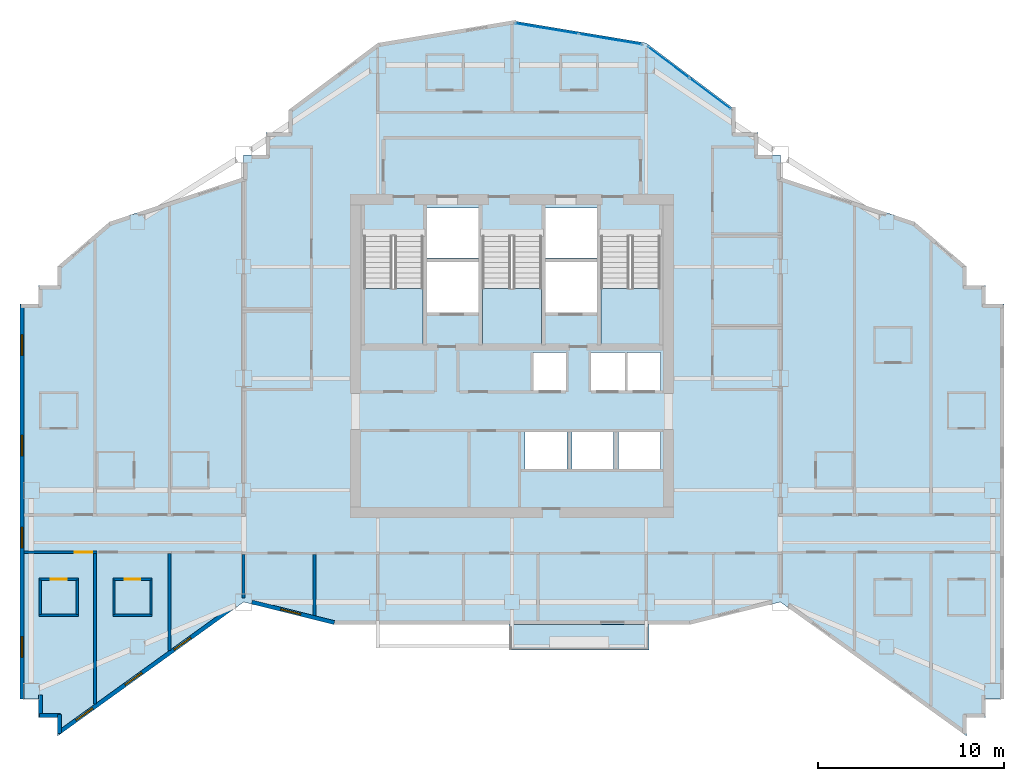
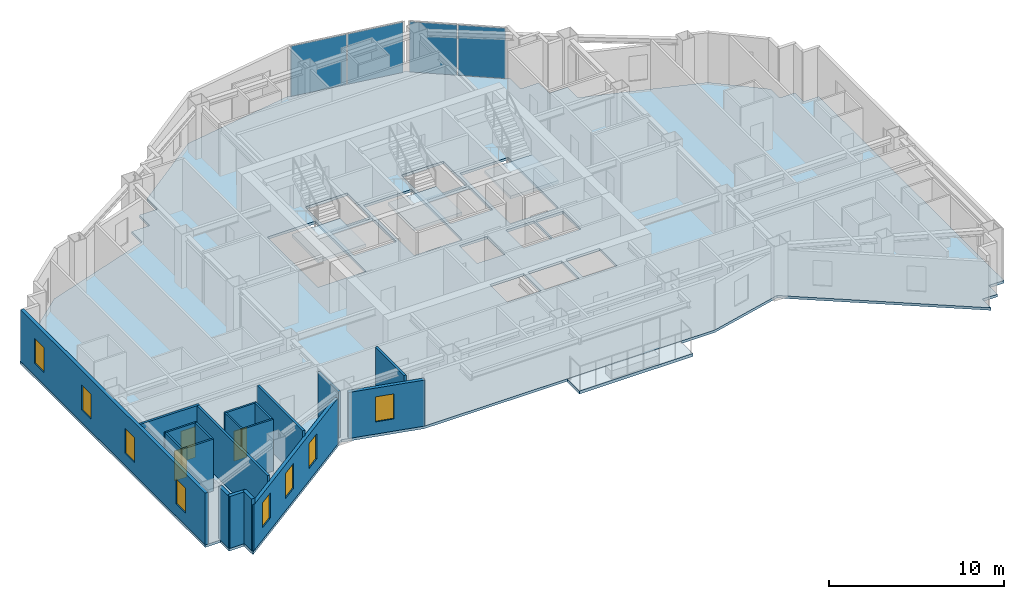
# One storey, part 4 of 11: 19 walls, 8 windows, 5 slabs, 4 plates, 3 doors, 11 openings, 5 elements without a shape of their own.
"""IFC4 building model written with IfcOpenShell, lengths in metres."""

from ifc_helpers import new_model, si_unit, direction, frame, frame_2d, origin, origin_2d, place, context, subcontext, project, spatial, polyline, rectangle, outline, extrude, material, layer, layer_set, type_object, element, fill, aggregate, save


model = new_model("IFC4")

# Units and contexts
model_context = context("Model", 3, precision=1e-05, world=origin(), true_north=direction((0.0, 1.0)))
body_context = subcontext(model_context, "Body", "Model", "MODEL_VIEW")
ifc_project = project(units=[si_unit("LENGTHUNIT", "METRE"), si_unit("AREAUNIT", "SQUARE_METRE"), si_unit("VOLUMEUNIT", "CUBIC_METRE"), si_unit("PLANEANGLEUNIT", "RADIAN"), si_unit("MASSUNIT", "GRAM", prefix="KILO")], contexts=[model_context])

# Site, building, storey
site_placement = place(None, origin())
site = spatial("IfcSite", under=ifc_project, at=site_placement, CompositionType="ELEMENT")
building_placement = place(site_placement, origin())
building = spatial("IfcBuilding", under=site, at=building_placement, Name="Haolan Belvedere Tower", CompositionType="ELEMENT")
storey_placement = place(building_placement, frame((0.0, 0.0, 188.0)))
storey = spatial("IfcBuildingStorey", under=building, at=storey_placement, Name="L47", CompositionType="ELEMENT", Elevation=188.0)

# Curtain wall, plates
ifc_material_1 = material(Name="Anodised champagne-silver aluminium 6063-T6 and Low-E glass", Category="aluminium")
ifc_layer_1 = layer(ifc_material_1, 0.14990234375, Name="Anodised champagne-silver aluminium 6063-T6 and Low-E glass")
ifc_layer_set_1 = layer_set([ifc_layer_1], Name="Anodised champagne-silver aluminium 6063-T6 and Low-E glass")
curtain_wall_type = type_object("IfcCurtainWallType", Name="CW-SYS-04", PredefinedType="NOTDEFINED", material=ifc_layer_set_1)
curtain_wall_1_placement = place(storey_placement, origin())
curtain_wall_1 = element("IfcCurtainWall", 1, at=curtain_wall_1_placement, inside=storey, type_object=curtain_wall_type, Name="L47 CW-SYS-04 ribbon curtain wall 20.1", PredefinedType="NOTDEFINED")
ifc_material_2 = material(Name="Double silver Low-E laminated insulating glass", Category="glass")
ifc_layer_2 = layer(ifc_material_2, 0.02392578125, Name="Double silver Low-E laminated insulating glass")
ifc_layer_set_2 = layer_set([ifc_layer_2], Name="Double silver Low-E laminated insulating glass")
plate_type = type_object("IfcPlateType", Name="CW-SYS-04-PNL", PredefinedType="CURTAIN_PANEL", material=ifc_layer_set_2)
plate_1_placement = place(storey_placement, frame((49.0390625, 48.883056640625, 0.052001953125), z_axis=(0.0, 0.0, 1.0), x_axis=(-0.799997871638, 0.600002837806, 0.0)))
plate_1 = element("IfcPlate", 2, at=plate_1_placement, type_object=plate_type, Name="CW-04 panel 1.1", PredefinedType="CURTAIN_PANEL", context=body_context, shape_type="SweptSolid", body=[
    extrude(rectangle(XDim=2.735107421875, YDim=0.02392578125, at=origin_2d()), origin(), (0.0, 0.0, 1.0), 3.51611328125),
])
plate_2_placement = place(storey_placement, frame((46.806396484375, 50.557861328125, 0.052001953125), z_axis=(0.0, 0.0, 1.0), x_axis=(-0.799997871638, 0.600002837806, 0.0)))
plate_2 = element("IfcPlate", 3, at=plate_2_placement, type_object=plate_type, Name="CW-04 panel 2.1", PredefinedType="CURTAIN_PANEL", context=body_context, shape_type="SweptSolid", body=[
    extrude(rectangle(XDim=2.735107421875, YDim=0.02392578125, at=origin_2d()), origin(), (0.0, 0.0, 1.0), 3.51611328125),
])
aggregate(curtain_wall_1, [plate_1, plate_2])

curtain_wall_2_placement = place(storey_placement, origin())
curtain_wall_2 = element("IfcCurtainWall", 4, at=curtain_wall_2_placement, inside=storey, type_object=curtain_wall_type, Name="L47 CW-SYS-04 ribbon curtain wall 21.1", PredefinedType="NOTDEFINED")
plate_3_placement = place(storey_placement, frame((43.683837890625, 51.807861328125, 0.052001953125), z_axis=(0.0, 0.0, 1.0), x_axis=(-0.98639276122, 0.164405962825, 0.0)))
plate_3 = element("IfcPlate", 5, at=plate_3_placement, type_object=plate_type, Name="CW-04 panel 1.1", PredefinedType="CURTAIN_PANEL", context=body_context, shape_type="SweptSolid", body=[
    extrude(rectangle(XDim=3.403076171875, YDim=0.02392578125, at=origin_2d()), origin(), (0.0, 0.0, 1.0), 3.51611328125),
])
plate_4_placement = place(storey_placement, frame((40.271728515625, 52.37646484375, 0.052001953125), z_axis=(0.0, 0.0, 1.0), x_axis=(-0.98639276122, 0.164405962825, 0.0)))
plate_4 = element("IfcPlate", 6, at=plate_4_placement, type_object=plate_type, Name="CW-04 panel 2.1", PredefinedType="CURTAIN_PANEL", context=body_context, shape_type="SweptSolid", body=[
    extrude(rectangle(XDim=3.403076171875, YDim=0.02392578125, at=origin_2d()), origin(), (0.0, 0.0, 1.0), 3.51611328125),
])
aggregate(curtain_wall_2, [plate_3, plate_4])

# Slabs
ifc_material_3 = material(Name="Concrete C40/50", Category="concrete")
ifc_layer_3 = layer(ifc_material_3, 0.2099609375, Name="Concrete C40/50")
ifc_layer_set_3 = layer_set([ifc_layer_3], Name="Concrete C40/50")
slab_type_1 = type_object("IfcSlabType", Name="SL-BAL-210", PredefinedType="FLOOR", material=ifc_layer_set_3)
slab_1_placement = place(storey_placement, frame((0.0, 0.0, -0.22998046875)))
element("IfcSlab", 7, at=slab_1_placement, inside=storey, type_object=slab_type_1, Name="L47 structural tree-planter balcony slab BAL-L47-S1", PredefinedType="FLOOR", context=body_context, shape_type="SweptSolid", body=[
    extrude(outline(polyline([(38.25, 19.02001953125), (45.75, 19.02001953125), (45.75, 20.39990234375), (38.25, 20.39990234375), (38.25, 19.02001953125)])), origin(), (0.0, 0.0, 1.0), 0.2099609375),
])
ifc_layer_4 = layer(ifc_material_3, 0.179931640625, Name="Concrete C40/50")
ifc_layer_set_4 = layer_set([ifc_layer_4], Name="Concrete C40/50")
slab_type_2 = type_object("IfcSlabType", Name="SL-FLR-180", PredefinedType="FLOOR", material=ifc_layer_set_4)
slab_2_placement = place(storey_placement, frame((0.0, 0.0, -0.179931640625)))
element("IfcSlab", 8, at=slab_2_placement, inside=storey, type_object=slab_type_2, Name="L47 structural floor slab", PredefinedType="FLOOR", context=body_context, shape_type="SweptSolid", body=[
    extrude(outline(polyline([(24.0, 21.60009765625), (28.800048828125, 20.39990234375), (48.0, 20.39990234375), (52.800048828125, 21.60009765625), (62.800048828125, 14.39990234375), (62.800048828125, 15.39990234375), (63.800048828125, 15.39990234375), (63.800048828125, 16.39990234375), (64.800048828125, 16.39990234375), (64.800048828125, 37.60009765625), (63.800048828125, 37.60009765625), (63.800048828125, 38.60009765625), (62.800048828125, 38.60009765625), (62.800048828125, 39.60009765625), (60.0, 42.0), (52.800048828125, 44.39990234375), (52.800048828125, 45.60009765625), (51.60009765625, 45.60009765625), (51.60009765625, 46.800048828125), (50.39990234375, 46.800048828125), (50.39990234375, 48.0), (45.60009765625, 51.60009765625), (38.39990234375, 52.800048828125), (31.199951171875, 51.60009765625), (26.39990234375, 48.0), (26.39990234375, 46.800048828125), (25.199951171875, 46.800048828125), (25.199951171875, 45.60009765625), (24.0, 45.60009765625), (24.0, 44.39990234375), (16.800048828125, 42.0), (14.0, 39.60009765625), (14.0, 38.60009765625), (13.0, 38.60009765625), (13.0, 37.60009765625), (12.0, 37.60009765625), (12.0, 16.800048828125), (12.0, 16.39990234375), (13.0, 16.39990234375), (13.0, 15.39990234375), (14.0, 15.39990234375), (14.0, 14.39990234375), (24.0, 21.60009765625)]), holes=[polyline([(30.449951171875, 41.22998046875), (30.449951171875, 35.449951171875), (33.6298828125, 35.449951171875), (33.6298828125, 41.22998046875), (30.449951171875, 41.22998046875)]), polyline([(36.81005859375, 41.22998046875), (36.81005859375, 35.449951171875), (39.989990234375, 35.449951171875), (39.989990234375, 41.22998046875), (36.81005859375, 41.22998046875)]), polyline([(43.169921875, 41.22998046875), (43.169921875, 35.449951171875), (46.35009765625, 35.449951171875), (46.35009765625, 41.22998046875), (43.169921875, 41.22998046875)]), polyline([(33.830078125, 40.050048828125), (36.610107421875, 40.050048828125), (36.610107421875, 42.75), (33.830078125, 42.75), (33.830078125, 40.050048828125)]), polyline([(33.830078125, 37.14990234375), (36.610107421875, 37.14990234375), (36.610107421875, 39.85009765625), (33.830078125, 39.85009765625), (33.830078125, 37.14990234375)]), polyline([(40.18994140625, 40.050048828125), (42.969970703125, 40.050048828125), (42.969970703125, 42.75), (40.18994140625, 42.75), (40.18994140625, 40.050048828125)]), polyline([(40.18994140625, 37.14990234375), (42.969970703125, 37.14990234375), (42.969970703125, 39.85009765625), (40.18994140625, 39.85009765625), (40.18994140625, 37.14990234375)]), polyline([(39.5400390625, 32.949951171875), (41.389892578125, 32.949951171875), (41.389892578125, 35.0), (39.5400390625, 35.0), (39.5400390625, 32.949951171875)]), polyline([(42.6201171875, 32.949951171875), (44.469970703125, 32.949951171875), (44.469970703125, 35.0), (42.6201171875, 35.0), (42.6201171875, 32.949951171875)]), polyline([(44.580078125, 32.949951171875), (46.3798828125, 32.949951171875), (46.3798828125, 35.0), (44.580078125, 35.0), (44.580078125, 32.949951171875)]), polyline([(39.10009765625, 28.75), (41.340087890625, 28.75), (41.340087890625, 30.75), (39.10009765625, 30.75), (39.10009765625, 28.75)]), polyline([(41.610107421875, 28.75), (43.85009765625, 28.75), (43.85009765625, 30.75), (41.610107421875, 30.75), (41.610107421875, 28.75)]), polyline([(44.1201171875, 28.75), (46.360107421875, 28.75), (46.360107421875, 30.75), (44.1201171875, 30.75), (44.1201171875, 28.75)])]), origin(), (0.0, 0.0, 1.0), 0.179931640625),
])

# Stair, slab
stair_type = type_object("IfcStairType", Name="STR-DL-22R-173", PredefinedType="HALF_TURN_STAIR", material=ifc_material_3)
stair_1_placement = place(storey_placement, origin())
stair_1 = element("IfcStair", 9, at=stair_1_placement, inside=storey, type_object=stair_type, Name="L47 Smokeproof Core Exit Stair ST1", PredefinedType="HALF_TURN_STAIR")
ifc_layer_5 = layer(ifc_material_3, 0.199951171875, Name="Concrete C40/50")
ifc_layer_set_5 = layer_set([ifc_layer_5], Name="Concrete C40/50")
slab_type_3 = type_object("IfcSlabType", Name="SL-LAND-200", PredefinedType="LANDING", material=ifc_layer_set_5)
slab_3_placement = place(storey_placement, frame((0.0, 0.0, 1.699951171875)))
slab_3 = element("IfcSlab", 10, at=slab_3_placement, type_object=slab_type_3, Name="ST1 landing 1", PredefinedType="LANDING", context=body_context, shape_type="SweptSolid", body=[
    extrude(outline(polyline([(30.449951171875, 38.429931640625), (30.449951171875, 35.449951171875), (33.6298828125, 35.449951171875), (33.6298828125, 38.429931640625), (30.449951171875, 38.429931640625)])), origin(), (0.0, 0.0, 1.0), 0.199951171875),
])
aggregate(stair_1, [slab_3])

stair_2_placement = place(storey_placement, origin())
stair_2 = element("IfcStair", 11, at=stair_2_placement, inside=storey, type_object=stair_type, Name="L47 Smokeproof Core Exit Stair ST3", PredefinedType="HALF_TURN_STAIR")
slab_4_placement = place(storey_placement, frame((0.0, 0.0, 1.699951171875)))
slab_4 = element("IfcSlab", 12, at=slab_4_placement, type_object=slab_type_3, Name="ST3 landing 1", PredefinedType="LANDING", context=body_context, shape_type="SweptSolid", body=[
    extrude(outline(polyline([(36.81005859375, 38.429931640625), (36.81005859375, 35.449951171875), (39.989990234375, 35.449951171875), (39.989990234375, 38.429931640625), (36.81005859375, 38.429931640625)])), origin(), (0.0, 0.0, 1.0), 0.199951171875),
])
aggregate(stair_2, [slab_4])

stair_3_placement = place(storey_placement, origin())
stair_3 = element("IfcStair", 13, at=stair_3_placement, inside=storey, type_object=stair_type, Name="L47 Smokeproof Core Exit Stair ST2", PredefinedType="HALF_TURN_STAIR")
slab_5_placement = place(storey_placement, frame((0.0, 0.0, 1.699951171875)))
slab_5 = element("IfcSlab", 14, at=slab_5_placement, type_object=slab_type_3, Name="ST2 landing 1", PredefinedType="LANDING", context=body_context, shape_type="SweptSolid", body=[
    extrude(outline(polyline([(43.169921875, 38.429931640625), (43.169921875, 35.449951171875), (46.35009765625, 35.449951171875), (46.35009765625, 38.429931640625), (43.169921875, 38.429931640625)])), origin(), (0.0, 0.0, 1.0), 0.199951171875),
])
aggregate(stair_3, [slab_5])

# Wall, openings, windows
ifc_material_4 = material(Name="Precast concrete C40/50", Category="concrete")
ifc_layer_6 = layer(ifc_material_4, 0.219970703125, Name="Precast concrete C40/50")
ifc_layer_set_6 = layer_set([ifc_layer_6], Name="Precast concrete C40/50")
wall_type_1 = type_object("IfcWallType", Name="WL-EXT-220", PredefinedType="SOLIDWALL", material=ifc_layer_set_6)
wall_1_placement = place(storey_placement, frame((12.110107421875, 37.544921875, 0.0), z_axis=(0.0, 0.0, 1.0), x_axis=(0.0, -1.0, 0.0)))
wall_1 = element("IfcWall", 15, at=wall_1_placement, inside=storey, type_object=wall_type_1, Name="L47 pale-metal exterior spandrel wall 35.1", PredefinedType="SOLIDWALL", context=body_context, shape_type="SweptSolid", body=[
    extrude(rectangle(XDim=21.14501953125, YDim=0.219970703125, at=frame_2d((10.572509765625, 0.0))), origin(), (0.0, 0.0, 1.0), 3.6201171875),
])
opening_1_placement = place(wall_1_placement, frame((1.60009765625, 0.0, 0.85009765625)))
opening_1 = element("IfcOpeningElement", 16, at=opening_1_placement, cuts=wall_1, Name="Opening W-03", PredefinedType="OPENING", context=body_context, shape_type="SweptSolid", body=[
    extrude(rectangle(XDim=1.10009765625, YDim=1.75, at=frame_2d((0.550048828125, 0.875))), frame((0.0, 0.119873046875, 0.0), z_axis=(0.0, -1.0, 0.0), x_axis=(1.0, 0.0, 0.0)), (0.0, 0.0, 1.0), 0.239990234375),
])
opening_2_placement = place(wall_1_placement, frame((7.0, 0.0, 0.85009765625)))
opening_2 = element("IfcOpeningElement", 17, at=opening_2_placement, cuts=wall_1, Name="Opening W-03", PredefinedType="OPENING", context=body_context, shape_type="SweptSolid", body=[
    extrude(rectangle(XDim=1.10009765625, YDim=1.75, at=frame_2d((0.550048828125, 0.875))), frame((0.0, 0.119873046875, 0.0), z_axis=(0.0, -1.0, 0.0), x_axis=(1.0, 0.0, 0.0)), (0.0, 0.0, 1.0), 0.239990234375),
])
opening_3_placement = place(wall_1_placement, frame((11.93994140625, 0.0, 0.85009765625)))
opening_3 = element("IfcOpeningElement", 18, at=opening_3_placement, cuts=wall_1, Name="Opening W-03", PredefinedType="OPENING", context=body_context, shape_type="SweptSolid", body=[
    extrude(rectangle(XDim=1.10009765625, YDim=1.75, at=frame_2d((0.550048828125, 0.875))), frame((0.0, 0.119873046875, 0.0), z_axis=(0.0, -1.0, 0.0), x_axis=(1.0, 0.0, 0.0)), (0.0, 0.0, 1.0), 0.239990234375),
])
opening_4_placement = place(wall_1_placement, frame((17.800048828125, 0.0, 0.85009765625)))
opening_4 = element("IfcOpeningElement", 19, at=opening_4_placement, cuts=wall_1, Name="Opening W-03", PredefinedType="OPENING", context=body_context, shape_type="SweptSolid", body=[
    extrude(rectangle(XDim=1.10009765625, YDim=1.75, at=frame_2d((0.550048828125, 0.875))), frame((0.0, 0.119873046875, 0.0), z_axis=(0.0, -1.0, 0.0), x_axis=(1.0, 0.0, 0.0)), (0.0, 0.0, 1.0), 0.239990234375),
])
ifc_material_5 = material(Name="Anodised aluminium 6063-T6 and Low-E glass", Category="aluminium")
window_type = type_object("IfcWindowType", Name="WN-DECO-Z3", PartitioningType="SINGLE_PANEL", PredefinedType="WINDOW", material=ifc_material_5)
window_1_placement = place(opening_1_placement, origin())
window_1 = element("IfcWindow", 20, at=window_1_placement, inside=storey, type_object=window_type, Name="L47 Art Deco chevron window 1", OverallHeight=1.75, OverallWidth=1.10009765625, PartitioningType="SINGLE_PANEL", PredefinedType="WINDOW", context=body_context, shape_type="SweptSolid", body=[
    extrude(rectangle(XDim=1.10009765625, YDim=1.75, at=frame_2d((0.550048828125, 0.875))), frame((0.0, 0.030029296875, 0.0), z_axis=(0.0, -1.0, 0.0), x_axis=(1.0, 0.0, 0.0)), (0.0, 0.0, 1.0), 0.06005859375),
])
fill(opening_1, window_1)
window_2_placement = place(opening_2_placement, origin())
window_2 = element("IfcWindow", 21, at=window_2_placement, inside=storey, type_object=window_type, Name="L47 Art Deco chevron window 2", OverallHeight=1.75, OverallWidth=1.10009765625, PartitioningType="SINGLE_PANEL", PredefinedType="WINDOW", context=body_context, shape_type="SweptSolid", body=[
    extrude(rectangle(XDim=1.10009765625, YDim=1.75, at=frame_2d((0.550048828125, 0.875))), frame((0.0, 0.030029296875, 0.0), z_axis=(0.0, -1.0, 0.0), x_axis=(1.0, 0.0, 0.0)), (0.0, 0.0, 1.0), 0.06005859375),
])
fill(opening_2, window_2)
window_3_placement = place(opening_3_placement, origin())
window_3 = element("IfcWindow", 22, at=window_3_placement, inside=storey, type_object=window_type, Name="L47 Art Deco chevron window 3", OverallHeight=1.75, OverallWidth=1.10009765625, PartitioningType="SINGLE_PANEL", PredefinedType="WINDOW", context=body_context, shape_type="SweptSolid", body=[
    extrude(rectangle(XDim=1.10009765625, YDim=1.75, at=frame_2d((0.550048828125, 0.875))), frame((0.0, 0.030029296875, 0.0), z_axis=(0.0, -1.0, 0.0), x_axis=(1.0, 0.0, 0.0)), (0.0, 0.0, 1.0), 0.06005859375),
])
fill(opening_3, window_3)
window_4_placement = place(opening_4_placement, origin())
window_4 = element("IfcWindow", 23, at=window_4_placement, inside=storey, type_object=window_type, Name="L47 Art Deco chevron window 4", OverallHeight=1.75, OverallWidth=1.10009765625, PartitioningType="SINGLE_PANEL", PredefinedType="WINDOW", context=body_context, shape_type="SweptSolid", body=[
    extrude(rectangle(XDim=1.10009765625, YDim=1.75, at=frame_2d((0.550048828125, 0.875))), frame((0.0, 0.030029296875, 0.0), z_axis=(0.0, -1.0, 0.0), x_axis=(1.0, 0.0, 0.0)), (0.0, 0.0, 1.0), 0.06005859375),
])
fill(opening_4, window_4)

# Walls
wall_2_placement = place(storey_placement, frame((13.110107421875, 16.6201171875, 0.0), z_axis=(0.0, 0.0, 1.0), x_axis=(0.0, -1.0, 0.0)))
element("IfcWall", 24, at=wall_2_placement, inside=storey, type_object=wall_type_1, Name="L47 pale-metal exterior spandrel wall 37.1", PredefinedType="SOLIDWALL", context=body_context, shape_type="SweptSolid", body=[
    extrude(rectangle(XDim=1.1650390625, YDim=0.219970703125, at=frame_2d((0.58251953125, 0.0))), origin(), (0.0, 0.0, 1.0), 3.6201171875),
])
wall_3_placement = place(storey_placement, frame((13.054931640625, 15.510009765625, 0.0), z_axis=(0.0, 0.0, 1.0), x_axis=(1.0, 0.0, 0.0)))
element("IfcWall", 25, at=wall_3_placement, inside=storey, type_object=wall_type_1, Name="L47 pale-metal exterior spandrel wall 38.1", PredefinedType="SOLIDWALL", context=body_context, shape_type="SweptSolid", body=[
    extrude(rectangle(XDim=1.110107421875, YDim=0.219970703125, at=frame_2d((0.55517578125, 0.0))), origin(), (0.0, 0.0, 1.0), 3.6201171875),
])
wall_4_placement = place(storey_placement, frame((14.110107421875, 15.56494140625, 0.0), z_axis=(0.0, 0.0, 1.0), x_axis=(0.0, -1.0, 0.0)))
element("IfcWall", 26, at=wall_4_placement, inside=storey, type_object=wall_type_1, Name="L47 pale-metal exterior spandrel wall 39.1", PredefinedType="SOLIDWALL", context=body_context, shape_type="SweptSolid", body=[
    extrude(rectangle(XDim=1.005126953125, YDim=0.219970703125, at=frame_2d((0.50244140625, 0.0))), origin(), (0.0, 0.0, 1.0), 3.6201171875),
])

# Wall, openings, windows
wall_5_placement = place(storey_placement, frame((14.0654296875, 14.58251953125, 0.0), z_axis=(0.0, 0.0, 1.0), x_axis=(0.811534737332, 0.58430417601, 0.0)))
wall_5 = element("IfcWall", 27, at=wall_5_placement, inside=storey, type_object=wall_type_1, Name="L47 pale-metal exterior spandrel wall 40.1", PredefinedType="SOLIDWALL", context=body_context, shape_type="SweptSolid", body=[
    extrude(rectangle(XDim=11.697265625, YDim=0.219970703125, at=frame_2d((5.8486328125, 0.0))), origin(), (0.0, 0.0, 1.0), 3.215087890625),
])
opening_5_placement = place(wall_5_placement, frame((1.1591796875, 0.0, 0.85009765625)))
opening_5 = element("IfcOpeningElement", 28, at=opening_5_placement, cuts=wall_5, Name="Opening W-03", PredefinedType="OPENING", context=body_context, shape_type="SweptSolid", body=[
    extrude(rectangle(XDim=1.10009765625, YDim=1.75, at=frame_2d((0.550048828125, 0.875))), frame((0.0, 0.119873046875, 0.0), z_axis=(0.0, -1.0, 0.0), x_axis=(1.0, 0.0, 0.0)), (0.0, 0.0, 1.0), 0.239990234375),
])
opening_6_placement = place(wall_5_placement, frame((7.64599609375, 0.0, 0.85009765625)))
opening_6 = element("IfcOpeningElement", 29, at=opening_6_placement, cuts=wall_5, Name="Opening W-03", PredefinedType="OPENING", context=body_context, shape_type="SweptSolid", body=[
    extrude(rectangle(XDim=1.10009765625, YDim=1.75, at=frame_2d((0.550048828125, 0.875))), frame((0.0, 0.119873046875, 0.0), z_axis=(0.0, -1.0, 0.0), x_axis=(1.0, 0.0, 0.0)), (0.0, 0.0, 1.0), 0.239990234375),
])
opening_7_placement = place(wall_5_placement, frame((4.402587890625, 0.0, 0.85009765625)))
opening_7 = element("IfcOpeningElement", 30, at=opening_7_placement, cuts=wall_5, Name="Opening W-03", PredefinedType="OPENING", context=body_context, shape_type="SweptSolid", body=[
    extrude(rectangle(XDim=1.10009765625, YDim=1.75, at=frame_2d((0.550048828125, 0.875))), frame((0.0, 0.119873046875, 0.0), z_axis=(0.0, -1.0, 0.0), x_axis=(1.0, 0.0, 0.0)), (0.0, 0.0, 1.0), 0.239990234375),
])
window_5_placement = place(opening_5_placement, origin())
window_5 = element("IfcWindow", 31, at=window_5_placement, inside=storey, type_object=window_type, Name="L47 Art Deco chevron window 1", OverallHeight=1.75, OverallWidth=1.10009765625, PartitioningType="SINGLE_PANEL", PredefinedType="WINDOW", context=body_context, shape_type="SweptSolid", body=[
    extrude(rectangle(XDim=1.10009765625, YDim=1.75, at=frame_2d((0.550048828125, 0.875))), frame((0.0, 0.030029296875, 0.0), z_axis=(0.0, -1.0, 0.0), x_axis=(1.0, 0.0, 0.0)), (0.0, 0.0, 1.0), 0.06005859375),
])
fill(opening_5, window_5)
window_6_placement = place(opening_6_placement, origin())
window_6 = element("IfcWindow", 32, at=window_6_placement, inside=storey, type_object=window_type, Name="L47 Art Deco chevron window 2", OverallHeight=1.75, OverallWidth=1.10009765625, PartitioningType="SINGLE_PANEL", PredefinedType="WINDOW", context=body_context, shape_type="SweptSolid", body=[
    extrude(rectangle(XDim=1.10009765625, YDim=1.75, at=frame_2d((0.550048828125, 0.875))), frame((0.0, 0.030029296875, 0.0), z_axis=(0.0, -1.0, 0.0), x_axis=(1.0, 0.0, 0.0)), (0.0, 0.0, 1.0), 0.06005859375),
])
fill(opening_6, window_6)
window_7_placement = place(opening_7_placement, origin())
window_7 = element("IfcWindow", 33, at=window_7_placement, inside=storey, type_object=window_type, Name="L47 Art Deco guestroom window 1", OverallHeight=1.75, OverallWidth=1.10009765625, PartitioningType="SINGLE_PANEL", PredefinedType="WINDOW", context=body_context, shape_type="SweptSolid", body=[
    extrude(rectangle(XDim=1.10009765625, YDim=1.75, at=frame_2d((0.550048828125, 0.875))), frame((0.0, 0.030029296875, 0.0), z_axis=(0.0, -1.0, 0.0), x_axis=(1.0, 0.0, 0.0)), (0.0, 0.0, 1.0), 0.06005859375),
])
fill(opening_7, window_7)

# Wall, opening, window
wall_6_placement = place(storey_placement, frame((24.44189453125, 21.602783203125, 0.0), z_axis=(0.0, 0.0, 1.0), x_axis=(0.970145648609, -0.242523030833, 0.0)))
wall_6 = element("IfcWall", 34, at=wall_6_placement, inside=storey, type_object=wall_type_1, Name="L47 pale-metal exterior spandrel wall 41.1", PredefinedType="SOLIDWALL", context=body_context, shape_type="SweptSolid", body=[
    extrude(rectangle(XDim=4.561279296875, YDim=0.219970703125, at=frame_2d((2.28076171875, 0.0))), origin(), (0.0, 0.0, 1.0), 3.215087890625),
])
opening_8_placement = place(wall_6_placement, frame((1.60009765625, 0.0, 0.85009765625)))
opening_8 = element("IfcOpeningElement", 35, at=opening_8_placement, cuts=wall_6, Name="Opening W-03", PredefinedType="OPENING", context=body_context, shape_type="SweptSolid", body=[
    extrude(rectangle(XDim=1.10009765625, YDim=1.75, at=frame_2d((0.550048828125, 0.875))), frame((0.0, 0.119873046875, 0.0), z_axis=(0.0, -1.0, 0.0), x_axis=(1.0, 0.0, 0.0)), (0.0, 0.0, 1.0), 0.239990234375),
])
window_8_placement = place(opening_8_placement, origin())
window_8 = element("IfcWindow", 36, at=window_8_placement, inside=storey, type_object=window_type, Name="L47 Art Deco chevron window 1", OverallHeight=1.75, OverallWidth=1.10009765625, PartitioningType="SINGLE_PANEL", PredefinedType="WINDOW", context=body_context, shape_type="SweptSolid", body=[
    extrude(rectangle(XDim=1.10009765625, YDim=1.75, at=frame_2d((0.550048828125, 0.875))), frame((0.0, 0.030029296875, 0.0), z_axis=(0.0, -1.0, 0.0), x_axis=(1.0, 0.0, 0.0)), (0.0, 0.0, 1.0), 0.06005859375),
])
fill(opening_8, window_8)

# Walls
ifc_material_6 = material(Name="Double gypsum acoustic stud partition", Category="masonry")
ifc_layer_7 = layer(ifc_material_6, 0.14990234375, Name="Double gypsum acoustic stud partition")
ifc_layer_set_7 = layer_set([ifc_layer_7], Name="Double gypsum acoustic stud partition")
wall_type_2 = type_object("IfcWallType", Name="WL-PART-150", PredefinedType="PARTITIONING", material=ifc_layer_set_7)
wall_7_placement = place(storey_placement, frame((24.0, 21.818603515625, 0.0), z_axis=(0.0, 0.0, 1.0), x_axis=(0.0, 1.0, 0.0)))
element("IfcWall", 37, at=wall_7_placement, inside=storey, type_object=wall_type_2, Name="L47 interior partition IW-L47-KS1-W", PredefinedType="PARTITIONING", context=body_context, shape_type="SweptSolid", body=[
    extrude(rectangle(XDim=2.34130859375, YDim=0.14990234375, at=frame_2d((1.170654296875, 0.0))), origin(), (0.0, 0.0, 1.0), 3.215087890625),
])
wall_8_placement = place(storey_placement, frame((27.800048828125, 20.868408203125, 0.0), z_axis=(0.0, 0.0, 1.0), x_axis=(0.0, 1.0, 0.0)))
element("IfcWall", 38, at=wall_8_placement, inside=storey, type_object=wall_type_2, Name="L47 interior partition IW-L47-KS1-E", PredefinedType="PARTITIONING", context=body_context, shape_type="SweptSolid", body=[
    extrude(rectangle(XDim=3.29150390625, YDim=0.14990234375, at=frame_2d((1.645751953125, 0.0))), origin(), (0.0, 0.0, 1.0), 3.6201171875),
])

# Wall, opening, door
wall_9_placement = place(storey_placement, frame((12.2119140625, 24.27001953125, 0.0), z_axis=(0.0, 0.0, 1.0), x_axis=(1.0, 0.0, 0.0)))
wall_9 = element("IfcWall", 39, at=wall_9_placement, inside=storey, type_object=wall_type_2, Name="L47 interior partition IW-L47-T2S1-N", PredefinedType="PARTITIONING", context=body_context, shape_type="SweptSolid", body=[
    extrude(rectangle(XDim=3.91796875, YDim=0.14990234375, at=frame_2d((1.958984375, 0.0))), origin(), (0.0, 0.0, 1.0), 3.6201171875),
])
opening_9_placement = place(wall_9_placement, frame((3.663330078125, 0.0, 0.0), z_axis=(0.0, 0.0, 1.0), x_axis=(-1.0, 0.0, 0.0)))
opening_9 = element("IfcOpeningElement", 40, at=opening_9_placement, cuts=wall_9, Name="Opening ID-02", PredefinedType="OPENING", context=body_context, shape_type="SweptSolid", body=[
    extrude(rectangle(XDim=0.949951171875, YDim=2.14990234375, at=frame_2d((0.47509765625, 1.074951171875))), frame((0.0, 0.0849609375, 0.0), z_axis=(0.0, -1.0, 0.0), x_axis=(1.0, 0.0, 0.0)), (0.0, 0.0, 1.0), 0.169921875),
])
ifc_material_7 = material(Name="Acoustic oak veneer fire-rated timber", Category="wood")
door_type_1 = type_object("IfcDoorType", Name="DR-GUEST-950", OperationType="NOTDEFINED", PredefinedType="DOOR", material=ifc_material_7)
door_1_placement = place(opening_9_placement, origin())
door_1 = element("IfcDoor", 41, at=door_1_placement, inside=storey, type_object=door_type_1, Name="L47 door ID-L47-T2S1-ENT", OperationType="SINGLE_SWING_LEFT", OverallHeight=2.14990234375, OverallWidth=0.949951171875, PredefinedType="DOOR", context=body_context, shape_type="SweptSolid", body=[
    extrude(rectangle(XDim=0.949951171875, YDim=2.14990234375, at=frame_2d((0.47509765625, 1.074951171875))), frame((0.0, 0.02490234375, 0.0), z_axis=(0.0, -1.0, 0.0), x_axis=(1.0, 0.0, 0.0)), (0.0, 0.0, 1.0), 0.050048828125),
])
fill(opening_9, door_1)

# Walls
wall_10_placement = place(storey_placement, frame((16.030029296875, 16.122802734375, 0.0), z_axis=(0.0, 0.0, 1.0), x_axis=(0.0, 1.0, 0.0)))
element("IfcWall", 42, at=wall_10_placement, inside=storey, type_object=wall_type_2, Name="L47 interior partition IW-L47-T2S1-E", PredefinedType="PARTITIONING", context=body_context, shape_type="SweptSolid", body=[
    extrude(rectangle(XDim=8.087158203125, YDim=0.14990234375, at=frame_2d((4.04345703125, 0.0))), origin(), (0.0, 0.0, 1.0), 3.6201171875),
])
wall_11_placement = place(storey_placement, frame((20.02001953125, 18.99560546875, 0.0), z_axis=(0.0, 0.0, 1.0), x_axis=(0.0, 1.0, 0.0)))
element("IfcWall", 43, at=wall_11_placement, inside=storey, type_object=wall_type_2, Name="L47 interior partition IW-L47-T2S2-E", PredefinedType="PARTITIONING", context=body_context, shape_type="SweptSolid", body=[
    extrude(rectangle(XDim=5.21435546875, YDim=0.14990234375, at=frame_2d((2.607177734375, 0.0))), origin(), (0.0, 0.0, 1.0), 3.6201171875),
])

# Wall, opening, door
ifc_material_8 = material(Name="Moisture-resistant gypsum tile partition", Category="masonry")
ifc_layer_8 = layer(ifc_material_8, 0.1201171875, Name="Moisture-resistant gypsum tile partition")
ifc_layer_set_8 = layer_set([ifc_layer_8], Name="Moisture-resistant gypsum tile partition")
wall_type_3 = type_object("IfcWallType", Name="WL-WET-120", PredefinedType="PARTITIONING", material=ifc_layer_set_8)
wall_12_placement = place(storey_placement, frame((13.030029296875, 22.820068359375, 0.0), z_axis=(0.0, 0.0, 1.0), x_axis=(1.0, 0.0, 0.0)))
wall_12 = element("IfcWall", 44, at=wall_12_placement, inside=storey, type_object=wall_type_3, Name="L47 interior partition IW-L47-T2S1-BN", PredefinedType="PARTITIONING", context=body_context, shape_type="SweptSolid", body=[
    extrude(rectangle(XDim=2.099853515625, YDim=0.1201171875, at=frame_2d((1.0498046875, 0.0))), origin(), (0.0, 0.0, 1.0), 3.6201171875),
])
opening_10_placement = place(wall_12_placement, frame((1.47509765625, 0.0, 0.0), z_axis=(0.0, 0.0, 1.0), x_axis=(-1.0, 0.0, 0.0)))
opening_10 = element("IfcOpeningElement", 45, at=opening_10_placement, cuts=wall_12, Name="Opening ID-05", PredefinedType="OPENING", context=body_context, shape_type="SweptSolid", body=[
    extrude(rectangle(XDim=0.85009765625, YDim=2.10009765625, at=frame_2d((0.425048828125, 1.050048828125))), frame((0.0, 0.070068359375, 0.0), z_axis=(0.0, -1.0, 0.0), x_axis=(1.0, 0.0, 0.0)), (0.0, 0.0, 1.0), 0.14013671875),
])
ifc_material_9 = material(Name="Moisture-resistant lacquered timber", Category="wood")
door_type_2 = type_object("IfcDoorType", Name="DR-BATH-850", OperationType="NOTDEFINED", PredefinedType="DOOR", material=ifc_material_9)
door_2_placement = place(opening_10_placement, origin())
door_2 = element("IfcDoor", 46, at=door_2_placement, inside=storey, type_object=door_type_2, Name="L47 door ID-L47-T2S1-BATH", OperationType="SINGLE_SWING_RIGHT", OverallHeight=2.10009765625, OverallWidth=0.85009765625, PredefinedType="DOOR", context=body_context, shape_type="SweptSolid", body=[
    extrude(rectangle(XDim=0.85009765625, YDim=2.10009765625, at=frame_2d((0.425048828125, 1.050048828125))), frame((0.0, 0.02490234375, 0.0), z_axis=(0.0, -1.0, 0.0), x_axis=(1.0, 0.0, 0.0)), (0.0, 0.0, 1.0), 0.050048828125),
])
fill(opening_10, door_2)

# Walls
wall_13_placement = place(storey_placement, frame((13.030029296875, 20.89990234375, 0.0), z_axis=(0.0, 0.0, 1.0), x_axis=(1.0, 0.0, 0.0)))
element("IfcWall", 47, at=wall_13_placement, inside=storey, type_object=wall_type_3, Name="L47 interior partition IW-L47-T2S1-BS", PredefinedType="PARTITIONING", context=body_context, shape_type="SweptSolid", body=[
    extrude(rectangle(XDim=2.099853515625, YDim=0.1201171875, at=frame_2d((1.0498046875, 0.0))), origin(), (0.0, 0.0, 1.0), 3.6201171875),
])
for number, where, z_axis, x_axis, name in (
    (48, (13.090087890625, 20.945068359375, 0.0), (0.0, 0.0, 1.0), (0.0, 1.0, 0.0), "L47 interior partition IW-L47-T2S1-BW"),
    (49, (15.070068359375, 20.945068359375, 0.0), (0.0, 0.0, 1.0), (0.0, 1.0, 0.0), "L47 interior partition IW-L47-T2S1-BE"),
):
    element("IfcWall", number, at=place(storey_placement, frame(where, z_axis=z_axis, x_axis=x_axis)), inside=storey, type_object=wall_type_3, Name=name, PredefinedType="PARTITIONING", context=body_context, shape_type="SweptSolid", body=[
        extrude(rectangle(XDim=1.829833984375, YDim=0.1201171875, at=frame_2d((0.9150390625, 0.0))), origin(), (0.0, 0.0, 1.0), 3.6201171875),
    ])

# Wall, opening, door
wall_14_placement = place(storey_placement, frame((16.98291015625, 22.820068359375, 0.0), z_axis=(0.0, 0.0, 1.0), x_axis=(1.0, 0.0, 0.0)))
wall_14 = element("IfcWall", 50, at=wall_14_placement, inside=storey, type_object=wall_type_3, Name="L47 interior partition IW-L47-T2S2-BN", PredefinedType="PARTITIONING", context=body_context, shape_type="SweptSolid", body=[
    extrude(rectangle(XDim=2.10009765625, YDim=0.1201171875, at=frame_2d((1.050048828125, 0.0))), origin(), (0.0, 0.0, 1.0), 3.6201171875),
])
opening_11_placement = place(wall_14_placement, frame((1.47509765625, 0.0, 0.0), z_axis=(0.0, 0.0, 1.0), x_axis=(-1.0, 0.0, 0.0)))
opening_11 = element("IfcOpeningElement", 51, at=opening_11_placement, cuts=wall_14, Name="Opening ID-05", PredefinedType="OPENING", context=body_context, shape_type="SweptSolid", body=[
    extrude(rectangle(XDim=0.85009765625, YDim=2.10009765625, at=frame_2d((0.425048828125, 1.050048828125))), frame((0.0, 0.070068359375, 0.0), z_axis=(0.0, -1.0, 0.0), x_axis=(1.0, 0.0, 0.0)), (0.0, 0.0, 1.0), 0.14013671875),
])
door_3_placement = place(opening_11_placement, origin())
door_3 = element("IfcDoor", 52, at=door_3_placement, inside=storey, type_object=door_type_2, Name="L47 door ID-L47-T2S2-BATH", OperationType="SINGLE_SWING_LEFT", OverallHeight=2.10009765625, OverallWidth=0.85009765625, PredefinedType="DOOR", context=body_context, shape_type="SweptSolid", body=[
    extrude(rectangle(XDim=0.85009765625, YDim=2.10009765625, at=frame_2d((0.425048828125, 1.050048828125))), frame((0.0, 0.02490234375, 0.0), z_axis=(0.0, -1.0, 0.0), x_axis=(1.0, 0.0, 0.0)), (0.0, 0.0, 1.0), 0.050048828125),
])
fill(opening_11, door_3)

# Walls
wall_15_placement = place(storey_placement, frame((16.98291015625, 20.89990234375, 0.0), z_axis=(0.0, 0.0, 1.0), x_axis=(1.0, 0.0, 0.0)))
element("IfcWall", 53, at=wall_15_placement, inside=storey, type_object=wall_type_3, Name="L47 interior partition IW-L47-T2S2-BS", PredefinedType="PARTITIONING", context=body_context, shape_type="SweptSolid", body=[
    extrude(rectangle(XDim=2.10009765625, YDim=0.1201171875, at=frame_2d((1.050048828125, 0.0))), origin(), (0.0, 0.0, 1.0), 3.6201171875),
])
for number, where, z_axis, x_axis, name in (
    (54, (17.04296875, 20.945068359375, 0.0), (0.0, 0.0, 1.0), (0.0, 1.0, 0.0), "L47 interior partition IW-L47-T2S2-BW"),
    (55, (19.02294921875, 20.945068359375, 0.0), (0.0, 0.0, 1.0), (0.0, 1.0, 0.0), "L47 interior partition IW-L47-T2S2-BE"),
):
    element("IfcWall", number, at=place(storey_placement, frame(where, z_axis=z_axis, x_axis=x_axis)), inside=storey, type_object=wall_type_3, Name=name, PredefinedType="PARTITIONING", context=body_context, shape_type="SweptSolid", body=[
        extrude(rectangle(XDim=1.829833984375, YDim=0.1201171875, at=frame_2d((0.9150390625, 0.0))), origin(), (0.0, 0.0, 1.0), 3.6201171875),
    ])

save(model, "model.ifc")
